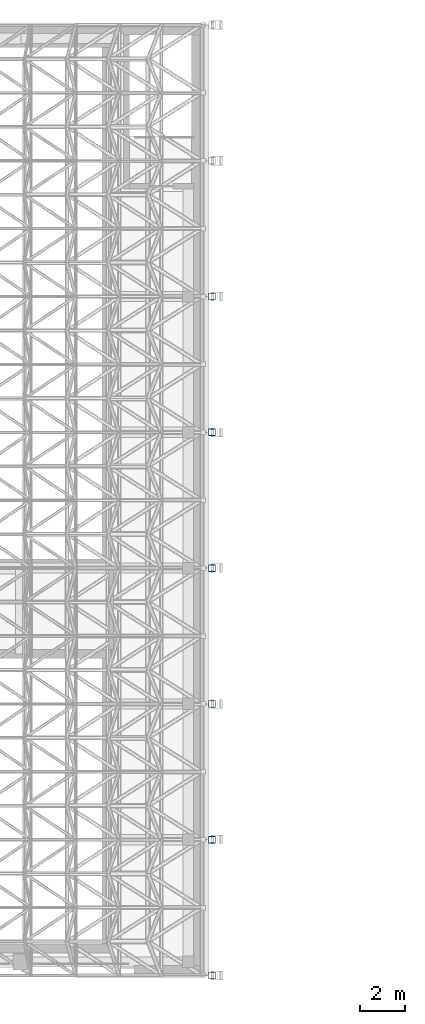
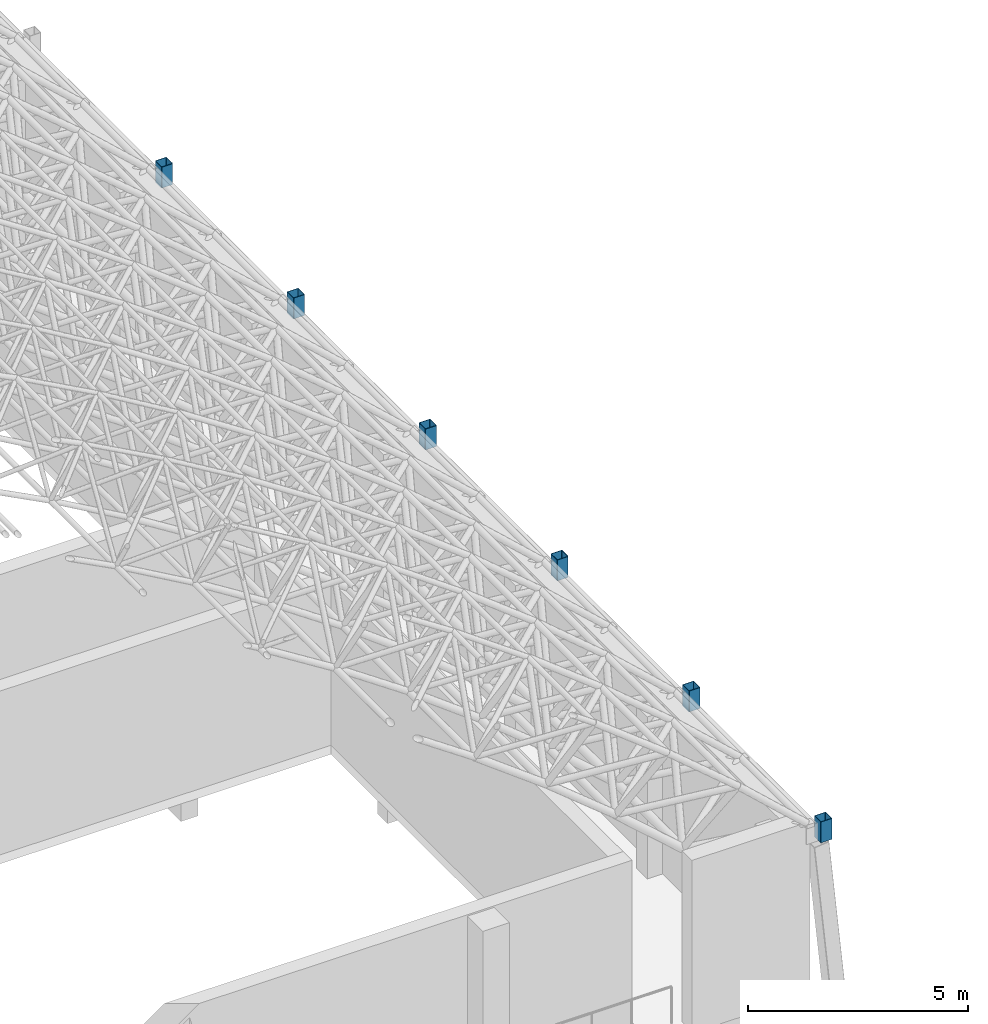
# One storey, part 3 of 141: 6 columns.
"""IFC4 building model written with IfcOpenShell, lengths in metres."""

import ifcopenshell
import ifcopenshell.guid

model = None  # the IFC model being written
_history = None  # IfcOwnerHistory: only IFC2X3 demands one
_inside = {}  # id of a spatial element -> (the spatial element, [elements in it])
_under = {}  # id of a project, library or spatial element -> (it, [spatial elements below it])
_declared = {}  # id of a project -> (the project, [libraries it declares])
_typed = {}  # id of a type object -> (the type object, [elements of that type])
_made_of = {}  # id of a material, layer set ... -> (it, [elements and type objects made of it])


def new_model(schema):
    """Start an empty IFC model of exactly this schema.

    Asked for "IFC4X3", IfcOpenShell would pick the latest addendum, in which some entities
    have other attributes; the version numbers below select the first issue.
    IFC2X3 requires an IfcOwnerHistory on every rooted entity: one is made here for all.
    """
    global model, _history
    if schema == "IFC4X3":
        model = ifcopenshell.file(schema_version=(4, 3, 0, 0))
    else:
        model = ifcopenshell.file(schema=schema)
    _inside.clear()
    _under.clear()
    _declared.clear()
    _typed.clear()
    _made_of.clear()
    _history = None
    if model.schema == "IFC2X3":
        org = make("IfcOrganization", Name="unknown")
        user = make(
            "IfcPersonAndOrganization",
            ThePerson=make("IfcPerson", FamilyName="unknown"),
            TheOrganization=org,
        )
        app = make(
            "IfcApplication",
            ApplicationDeveloper=org,
            Version="unknown",
            ApplicationFullName="unknown",
            ApplicationIdentifier="unknown",
        )
        _history = make(
            "IfcOwnerHistory",
            OwningUser=user,
            OwningApplication=app,
            ChangeAction="ADDED",
            CreationDate=0,
        )
    return model


def make(cls, **values):
    """One entity of the class cls with the attributes given. An attribute that is None is left unset."""
    return model.create_entity(
        cls, **{name: value for name, value in values.items() if value is not None}
    )


def rooted(cls, **values):
    """An entity with a GlobalId (a new one), such as an element, a storey or a relation."""
    return make(cls, GlobalId=ifcopenshell.guid.new(), OwnerHistory=_history, **values)


def si_unit(unit_type, name, prefix=None):
    """IfcSIUnit, for example si_unit("LENGTHUNIT", "METRE", prefix="MILLI")."""
    return make("IfcSIUnit", UnitType=unit_type, Prefix=prefix, Name=name)


def assignment(units):
    """IfcUnitAssignment: the units of a project."""
    return None if units is None else make("IfcUnitAssignment", Units=units)


def point(xyz):
    """IfcCartesianPoint."""
    return None if xyz is None else make("IfcCartesianPoint", Coordinates=xyz)


def direction(xyz):
    """IfcDirection."""
    return None if xyz is None else make("IfcDirection", DirectionRatios=xyz)


def frame(location, z_axis=None, x_axis=None):
    """IfcAxis2Placement3D, a coordinate frame: its origin and axes. An axis left out is left unset."""
    return make(
        "IfcAxis2Placement3D",
        Location=point(location),
        Axis=direction(z_axis),
        RefDirection=direction(x_axis),
    )


def frame_2d(location, x_axis=None):
    """IfcAxis2Placement2D, a coordinate frame in the plane: its origin and x axis."""
    return make(
        "IfcAxis2Placement2D", Location=point(location), RefDirection=direction(x_axis)
    )


def origin():
    """The frame at (0, 0, 0) with its axes left unset."""
    return frame((0.0, 0.0, 0.0))


def origin_2d():
    """The frame at (0, 0) in the plane with its x axis left unset."""
    return frame_2d((0.0, 0.0))


def place(relative_to, where):
    """IfcLocalPlacement: puts the frame where relative to a parent placement (None: the world)."""
    return make(
        "IfcLocalPlacement", PlacementRelTo=relative_to, RelativePlacement=where
    )


def context(
    kind, dimensions, precision=None, world=None, true_north=None, identifier=None
):
    """IfcGeometricRepresentationContext, for example the 3D "Model" context."""
    return make(
        "IfcGeometricRepresentationContext",
        ContextIdentifier=identifier,
        ContextType=kind,
        CoordinateSpaceDimension=dimensions,
        Precision=precision,
        WorldCoordinateSystem=world,
        TrueNorth=true_north,
    )


def subcontext(parent, identifier, kind, view, scale=None):
    """IfcGeometricRepresentationSubContext, for example "Body" below "Model"."""
    return make(
        "IfcGeometricRepresentationSubContext",
        ContextIdentifier=identifier,
        ContextType=kind,
        ParentContext=parent,
        TargetScale=scale,
        TargetView=view,
    )


def project(units=None, contexts=None):
    """IfcProject with its units and contexts."""
    return rooted(
        "IfcProject",
        Name="project",
        RepresentationContexts=contexts,
        UnitsInContext=assignment(units),
    )


def spatial(cls, under=None, at=None, **own):
    """A site, building, storey or space (cls), placed at a placement, below another one or the project."""
    s = rooted(cls, ObjectPlacement=at, **own)
    if under is not None:
        _under.setdefault(under.id(), (under, []))[1].append(s)
    return s


def profile(cls, at=None, kind="AREA", **sizes):
    """A parametric profile (cls). Its sizes go by their IFC names, for example OverallWidth=200.0."""
    return make(cls, ProfileType=kind, Position=at, **sizes)


def hollow_rectangle(**sizes):
    """IfcRectangleHollowProfileDef."""
    return profile("IfcRectangleHollowProfileDef", **sizes)


def extrude(swept, where, along, depth):
    """IfcExtrudedAreaSolid: the profile swept, set in the frame where, extruded along a direction by depth."""
    return make(
        "IfcExtrudedAreaSolid",
        SweptArea=swept,
        Position=where,
        ExtrudedDirection=direction(along),
        Depth=depth,
    )


def shape(context_of_items, identifier, shape_type, items):
    """IfcShapeRepresentation: the items that make up one representation, for example the "Body"."""
    return make(
        "IfcShapeRepresentation",
        ContextOfItems=context_of_items,
        RepresentationIdentifier=identifier,
        RepresentationType=shape_type,
        Items=items,
    )


def material(Name=None, Category=None):
    """IfcMaterial."""
    return make("IfcMaterial", Name=Name, Category=Category)


def material_profile(
    of_material, cross_section, Name=None, Category=None, Priority=None
):
    """IfcMaterialProfile: a cross section and its material."""
    return make(
        "IfcMaterialProfile",
        Name=Name,
        Material=of_material,
        Profile=cross_section,
        Priority=Priority,
        Category=Category,
    )


def profile_set(profiles, Name=None, composite=None):
    """IfcMaterialProfileSet."""
    return make(
        "IfcMaterialProfileSet",
        Name=Name,
        MaterialProfiles=profiles,
        CompositeProfile=composite,
    )


def made_of(thing, what):
    """Note that an element or type object is made of a material, layer set ...; save() writes the relation."""
    if what is not None:
        _made_of.setdefault(what.id(), (what, []))[1].append(thing)
    return thing


def type_object(cls, material=None, **own):
    """A type object (cls), such as IfcWallType, which elements share."""
    return made_of(rooted(cls, **own), material)


def element(
    cls,
    number,
    at=None,
    inside=None,
    cuts=None,
    type_object=None,
    material=None,
    context=None,
    identifier="Body",
    shape_type=None,
    held_by="IfcProductDefinitionShape",
    body=None,
    shapes=None,
    **own,
):
    """One element of the class cls, such as IfcWall. Its Tag is "e" and its number.

    at: its placement. inside: the storey or other place that contains it. cuts: it is an
    opening in that element (IfcRelVoidsElement). A single representation is given by context,
    identifier, shape_type and body (its items); several are given by shapes. held_by: the class
    of the entity that holds the representations. save() writes the other relations.
    """
    e = rooted(cls, Tag="e%d" % number, ObjectPlacement=at, **own)
    if body is not None:
        shapes = [shape(context, identifier, shape_type, body)]
    if shapes is not None:
        e.Representation = make(held_by, Representations=shapes)
    if inside is not None:
        _inside.setdefault(inside.id(), (inside, []))[1].append(e)
    if cuts is not None:
        rooted(
            "IfcRelVoidsElement", RelatingBuildingElement=cuts, RelatedOpeningElement=e
        )
    if type_object is not None:
        _typed.setdefault(type_object.id(), (type_object, []))[1].append(e)
    return made_of(e, material)


def aggregate(whole, parts):
    """IfcRelAggregates: a whole, such as a stair, and the parts it consists of."""
    return rooted("IfcRelAggregates", RelatingObject=whole, RelatedObjects=parts)


def save(model, path):
    """Write the relations noted so far, then the file.

    IfcRelAggregates (storeys below a building ...), IfcRelContainedInSpatialStructure (elements
    in a storey), IfcRelDefinesByType, IfcRelAssociatesMaterial and IfcRelDeclares: one each for
    every whole, place, type object, material and project.
    """
    for whole, parts in _under.values():
        aggregate(whole, parts)
    for where, things in _inside.values():
        rooted(
            "IfcRelContainedInSpatialStructure",
            RelatedElements=things,
            RelatingStructure=where,
        )
    for kind, things in _typed.values():
        rooted("IfcRelDefinesByType", RelatedObjects=things, RelatingType=kind)
    for what, things in _made_of.values():
        rooted("IfcRelAssociatesMaterial", RelatedObjects=things, RelatingMaterial=what)
    for by, libraries in _declared.values():
        rooted("IfcRelDeclares", RelatingContext=by, RelatedDefinitions=libraries)
    model.write(path)


model = new_model("IFC4")

# Units and contexts
model_context = context("Model", 3, precision=1e-05, world=origin(), true_north=direction((0.0, 1.0)))
body_context = subcontext(model_context, "Body", "Model", "MODEL_VIEW")
ifc_project = project(units=[si_unit("LENGTHUNIT", "METRE"), si_unit("AREAUNIT", "SQUARE_METRE"), si_unit("VOLUMEUNIT", "CUBIC_METRE"), si_unit("PLANEANGLEUNIT", "RADIAN"), si_unit("MASSUNIT", "GRAM", prefix="KILO")], contexts=[model_context])

# Site, building, storey
site_placement = place(None, origin())
site = spatial("IfcSite", under=ifc_project, at=site_placement, CompositionType="ELEMENT")
building_placement = place(site_placement, origin())
building = spatial("IfcBuilding", under=site, at=building_placement, Name="Lantern Court Media Centre", CompositionType="ELEMENT")
storey_placement = place(building_placement, frame((0.0, 0.0, 9.60009765625)))
storey = spatial("IfcBuildingStorey", under=building, at=storey_placement, Name="L02", CompositionType="ELEMENT", Elevation=9.60009765625)

# Columns
ifc_material = material(Name="Steel S355J2 (EN 10025-2)", Category="steel")
ifc_material_profile = material_profile(ifc_material, hollow_rectangle(XDim=0.300048828125, YDim=0.300048828125, WallThickness=0.012451171875, InnerFilletRadius=0.012451171875, OuterFilletRadius=0.018798828125, at=origin_2d()), Name="Cinema Hall buttress pinnacle SHS 300x12.5")
ifc_profile_set = profile_set([ifc_material_profile], Name="Steel S355J2 (EN 10025-2)")
column_type = type_object("IfcColumnType", Name="Cinema Hall buttress pinnacle SHS 300x12.5", PredefinedType="COLUMN", material=ifc_profile_set)
for number, where, z_axis, x_axis, name in (
    (1, (32.4501953125, -2.0, 4.220458984375), (0.0, 0.0, 1.0), (1.0, 0.0, 0.0), "Cinema Hall pinnacle east 1"),
    (2, (32.4501953125, 4.0, 4.220458984375), (0.0, 0.0, 1.0), (1.0, 0.0, 0.0), "Cinema Hall pinnacle east 2"),
    (3, (32.4501953125, 10.0, 4.220458984375), (0.0, 0.0, 1.0), (1.0, 0.0, 0.0), "Cinema Hall pinnacle east 3"),
    (4, (32.4501953125, 16.0, 4.220458984375), (0.0, 0.0, 1.0), (1.0, 0.0, 0.0), "Cinema Hall pinnacle east 4"),
    (5, (32.4501953125, 22.0, 4.220458984375), (0.0, 0.0, 1.0), (1.0, 0.0, 0.0), "Cinema Hall pinnacle east 5"),
    (6, (32.4501953125, 28.0, 4.220458984375), (0.0, 0.0, 1.0), (1.0, 0.0, 0.0), "Cinema Hall pinnacle east 6"),
):
    element("IfcColumn", number, at=place(storey_placement, frame(where, z_axis=z_axis, x_axis=x_axis)), inside=storey, type_object=column_type, Name=name, PredefinedType="COLUMN", context=body_context, shape_type="SweptSolid", body=[
        extrude(hollow_rectangle(XDim=0.300048828125, YDim=0.300048828125, WallThickness=0.012451171875, InnerFilletRadius=0.012451171875, OuterFilletRadius=0.018798828125, at=origin_2d()), origin(), (0.0, 0.0, 1.0), 0.579345703125),
    ])

save(model, "model.ifc")
